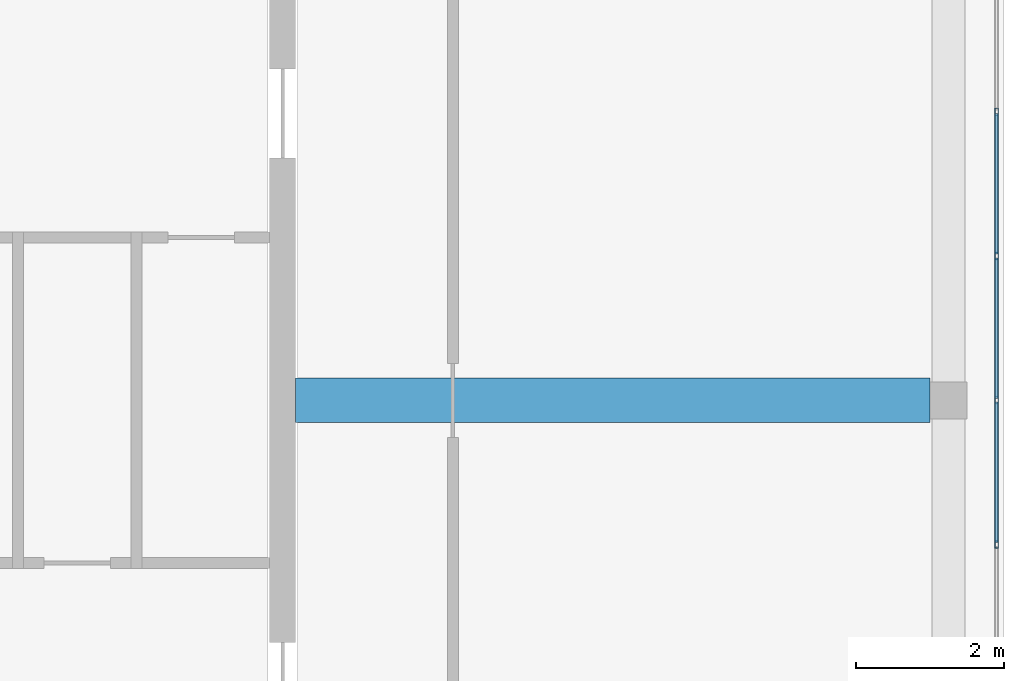
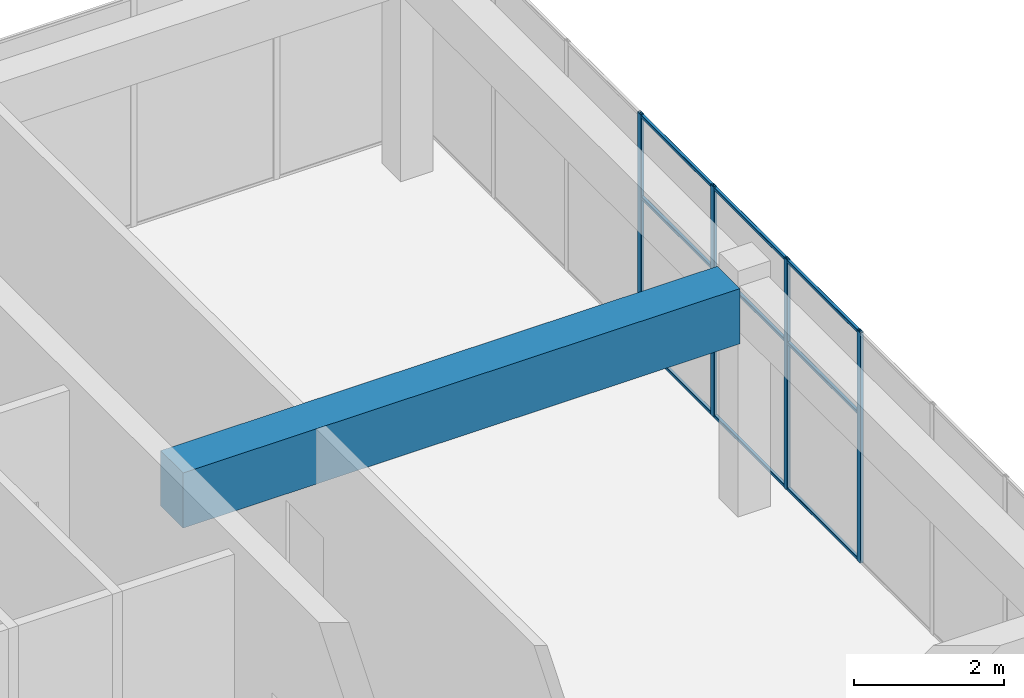
# One storey, part 16 of 34: 13 members, 1 beam, 1 element without a shape of its own.
"""IFC4 building model written with IfcOpenShell, lengths in metres."""

from ifc_helpers import new_model, si_unit, direction, frame, origin, origin_2d, place, context, subcontext, project, spatial, rectangle, hollow_rectangle, extrude, material, layer, layer_set, material_profile, profile_set, type_object, element, aggregate, save


model = new_model("IFC4")

# Units and contexts
model_context = context("Model", 3, precision=1e-05, world=origin(), true_north=direction((0.0, 1.0)))
body_context = subcontext(model_context, "Body", "Model", "MODEL_VIEW")
ifc_project = project(units=[si_unit("LENGTHUNIT", "METRE"), si_unit("AREAUNIT", "SQUARE_METRE"), si_unit("VOLUMEUNIT", "CUBIC_METRE"), si_unit("PLANEANGLEUNIT", "RADIAN"), si_unit("MASSUNIT", "GRAM", prefix="KILO")], contexts=[model_context])

# Site, building, storey
site_placement = place(None, origin())
site = spatial("IfcSite", under=ifc_project, at=site_placement, CompositionType="ELEMENT")
building_placement = place(site_placement, origin())
building = spatial("IfcBuilding", under=site, at=building_placement, Name="Tuart Plaza Theatre", CompositionType="ELEMENT")
storey_placement = place(building_placement, frame((0.0, 0.0, 53.5)))
storey = spatial("IfcBuildingStorey", under=building, at=storey_placement, Name="L13", CompositionType="ELEMENT", Elevation=53.5)

# Beam
ifc_material_1 = material(Name="Concrete N40 (40 MPa)", Category="concrete")
ifc_material_profile_1 = material_profile(ifc_material_1, rectangle(XDim=0.60009765625, YDim=0.89990234375, at=origin_2d()), Name="BEAM 600x900 Concrete N40 (40 MPa)")
ifc_profile_set_1 = profile_set([ifc_material_profile_1], Name="Concrete N40 (40 MPa)")
beam_type = type_object("IfcBeamType", Name="BEAM 600x900 Concrete N40 (40 MPa)", PredefinedType="BEAM", material=ifc_profile_set_1)
beam_placement = place(storey_placement, frame((141.175048828125, 74.0, 3.300048828125), z_axis=(1.0, 0.0, 0.0), x_axis=(0.0, 1.0, 0.0)))
element("IfcBeam", 1, at=beam_placement, inside=storey, type_object=beam_type, Name="RB343", PredefinedType="BEAM", context=body_context, shape_type="SweptSolid", body=[
    extrude(rectangle(XDim=0.60009765625, YDim=0.89990234375, at=origin_2d()), origin(), (0.0, 0.0, 1.0), 8.574951171875),
])

# Curtain wall, members
ifc_material_2 = material(Name="Aluminium and glass", Category="aluminium")
ifc_layer = layer(ifc_material_2, 0.10009765625)
ifc_layer_set = layer_set([ifc_layer], Name="CURTAIN WALL 2000 module")
curtain_wall_type = type_object("IfcCurtainWallType", Name="CURTAIN WALL 2000 module", PredefinedType="NOTDEFINED", material=ifc_layer_set)
curtain_wall_placement = place(storey_placement, origin())
curtain_wall = element("IfcCurtainWall", 2, at=curtain_wall_placement, inside=storey, type_object=curtain_wall_type, Name="CW114", PredefinedType="NOTDEFINED")
ifc_material_3 = material(Name="Aluminium 6063-T5", Category="aluminium")
ifc_material_profile_2 = material_profile(ifc_material_3, hollow_rectangle(XDim=0.050048828125, YDim=0.10009765625, WallThickness=0.00390625, InnerFilletRadius=0.00390625, OuterFilletRadius=0.008056640625, at=origin_2d()), Name="RHS 100x50x4")
ifc_profile_set_2 = profile_set([ifc_material_profile_2], Name="Aluminium 6063-T5")
member_type_1 = type_object("IfcMemberType", Name="MULLION RHS 100x50x4", PredefinedType="MULLION", material=ifc_profile_set_2)
member_1_placement = place(storey_placement, frame((150.64990234375, 72.050048828125, 0.0), z_axis=(0.0, 0.0, 1.0), x_axis=(-1.0, 0.0, 0.0)))
member_1 = element("IfcMember", 3, at=member_1_placement, type_object=member_type_1, Name="CW114 mullion 5", PredefinedType="MULLION", context=body_context, shape_type="SweptSolid", body=[
    extrude(hollow_rectangle(XDim=0.050048828125, YDim=0.10009765625, WallThickness=0.00390625, InnerFilletRadius=0.00390625, OuterFilletRadius=0.008056640625, at=origin_2d()), origin(), (0.0, 0.0, 1.0), 3.75),
])
member_2_placement = place(storey_placement, frame((150.64990234375, 74.0, 0.0), z_axis=(0.0, 0.0, 1.0), x_axis=(-1.0, 0.0, 0.0)))
member_2 = element("IfcMember", 4, at=member_2_placement, type_object=member_type_1, Name="CW114 mullion 6", PredefinedType="MULLION", context=body_context, shape_type="SweptSolid", body=[
    extrude(hollow_rectangle(XDim=0.050048828125, YDim=0.10009765625, WallThickness=0.00390625, InnerFilletRadius=0.00390625, OuterFilletRadius=0.008056640625, at=origin_2d()), origin(), (0.0, 0.0, 1.0), 3.75),
])
member_3_placement = place(storey_placement, frame((150.64990234375, 75.949951171875, 0.0), z_axis=(0.0, 0.0, 1.0), x_axis=(-1.0, 0.0, 0.0)))
member_3 = element("IfcMember", 5, at=member_3_placement, type_object=member_type_1, Name="CW114 mullion 7", PredefinedType="MULLION", context=body_context, shape_type="SweptSolid", body=[
    extrude(hollow_rectangle(XDim=0.050048828125, YDim=0.10009765625, WallThickness=0.00390625, InnerFilletRadius=0.00390625, OuterFilletRadius=0.008056640625, at=origin_2d()), origin(), (0.0, 0.0, 1.0), 3.75),
])
member_4_placement = place(storey_placement, frame((150.64990234375, 77.89990234375, 0.0), z_axis=(0.0, 0.0, 1.0), x_axis=(-1.0, 0.0, 0.0)))
member_4 = element("IfcMember", 6, at=member_4_placement, type_object=member_type_1, Name="CW114 mullion 8", PredefinedType="MULLION", context=body_context, shape_type="SweptSolid", body=[
    extrude(hollow_rectangle(XDim=0.050048828125, YDim=0.10009765625, WallThickness=0.00390625, InnerFilletRadius=0.00390625, OuterFilletRadius=0.008056640625, at=origin_2d()), origin(), (0.0, 0.0, 1.0), 3.75),
])
ifc_material_4 = material(Name="Aluminium 6063-T5", Category="aluminium")
ifc_material_profile_3 = material_profile(ifc_material_4, hollow_rectangle(XDim=0.050048828125, YDim=0.050048828125, WallThickness=0.00390625, InnerFilletRadius=0.00390625, OuterFilletRadius=0.008056640625, at=origin_2d()), Name="RHS 50x50x4")
ifc_profile_set_3 = profile_set([ifc_material_profile_3], Name="Aluminium 6063-T5")
member_type_2 = type_object("IfcMemberType", Name="TRANSOM RHS 50x50x4", PredefinedType="USERDEFINED", material=ifc_profile_set_3)
member_5_placement = place(storey_placement, frame((150.64990234375, 72.074951171875, 0.02490234375), z_axis=(0.0, 1.0, 0.0), x_axis=(-1.0, 0.0, 0.0)))
member_5 = element("IfcMember", 7, at=member_5_placement, type_object=member_type_2, Name="CW114 transom 5.1", ObjectType="TRANSOM", PredefinedType="USERDEFINED", context=body_context, shape_type="SweptSolid", body=[
    extrude(hollow_rectangle(XDim=0.050048828125, YDim=0.050048828125, WallThickness=0.00390625, InnerFilletRadius=0.00390625, OuterFilletRadius=0.008056640625, at=origin_2d()), origin(), (0.0, 0.0, 1.0), 1.900146484375),
])
member_6_placement = place(storey_placement, frame((150.64990234375, 72.074951171875, 2.39990234375), z_axis=(0.0, 1.0, 0.0), x_axis=(-1.0, 0.0, 0.0)))
member_6 = element("IfcMember", 8, at=member_6_placement, type_object=member_type_2, Name="CW114 transom 5.2", ObjectType="TRANSOM", PredefinedType="USERDEFINED", context=body_context, shape_type="SweptSolid", body=[
    extrude(hollow_rectangle(XDim=0.050048828125, YDim=0.050048828125, WallThickness=0.00390625, InnerFilletRadius=0.00390625, OuterFilletRadius=0.008056640625, at=origin_2d()), origin(), (0.0, 0.0, 1.0), 1.900146484375),
])
member_7_placement = place(storey_placement, frame((150.64990234375, 72.074951171875, 3.72509765625), z_axis=(0.0, 1.0, 0.0), x_axis=(-1.0, 0.0, 0.0)))
member_7 = element("IfcMember", 9, at=member_7_placement, type_object=member_type_2, Name="CW114 transom 5.3", ObjectType="TRANSOM", PredefinedType="USERDEFINED", context=body_context, shape_type="SweptSolid", body=[
    extrude(hollow_rectangle(XDim=0.050048828125, YDim=0.050048828125, WallThickness=0.00390625, InnerFilletRadius=0.00390625, OuterFilletRadius=0.008056640625, at=origin_2d()), origin(), (0.0, 0.0, 1.0), 1.900146484375),
])
member_8_placement = place(storey_placement, frame((150.64990234375, 74.02490234375, 0.02490234375), z_axis=(0.0, 1.0, 0.0), x_axis=(-1.0, 0.0, 0.0)))
member_8 = element("IfcMember", 10, at=member_8_placement, type_object=member_type_2, Name="CW114 transom 6.1", ObjectType="TRANSOM", PredefinedType="USERDEFINED", context=body_context, shape_type="SweptSolid", body=[
    extrude(hollow_rectangle(XDim=0.050048828125, YDim=0.050048828125, WallThickness=0.00390625, InnerFilletRadius=0.00390625, OuterFilletRadius=0.008056640625, at=origin_2d()), origin(), (0.0, 0.0, 1.0), 1.900146484375),
])
member_9_placement = place(storey_placement, frame((150.64990234375, 74.02490234375, 2.39990234375), z_axis=(0.0, 1.0, 0.0), x_axis=(-1.0, 0.0, 0.0)))
member_9 = element("IfcMember", 11, at=member_9_placement, type_object=member_type_2, Name="CW114 transom 6.2", ObjectType="TRANSOM", PredefinedType="USERDEFINED", context=body_context, shape_type="SweptSolid", body=[
    extrude(hollow_rectangle(XDim=0.050048828125, YDim=0.050048828125, WallThickness=0.00390625, InnerFilletRadius=0.00390625, OuterFilletRadius=0.008056640625, at=origin_2d()), origin(), (0.0, 0.0, 1.0), 1.900146484375),
])
member_10_placement = place(storey_placement, frame((150.64990234375, 74.02490234375, 3.72509765625), z_axis=(0.0, 1.0, 0.0), x_axis=(-1.0, 0.0, 0.0)))
member_10 = element("IfcMember", 12, at=member_10_placement, type_object=member_type_2, Name="CW114 transom 6.3", ObjectType="TRANSOM", PredefinedType="USERDEFINED", context=body_context, shape_type="SweptSolid", body=[
    extrude(hollow_rectangle(XDim=0.050048828125, YDim=0.050048828125, WallThickness=0.00390625, InnerFilletRadius=0.00390625, OuterFilletRadius=0.008056640625, at=origin_2d()), origin(), (0.0, 0.0, 1.0), 1.900146484375),
])
member_11_placement = place(storey_placement, frame((150.64990234375, 75.97509765625, 0.02490234375), z_axis=(0.0, 1.0, 0.0), x_axis=(-1.0, 0.0, 0.0)))
member_11 = element("IfcMember", 13, at=member_11_placement, type_object=member_type_2, Name="CW114 transom 7.1", ObjectType="TRANSOM", PredefinedType="USERDEFINED", context=body_context, shape_type="SweptSolid", body=[
    extrude(hollow_rectangle(XDim=0.050048828125, YDim=0.050048828125, WallThickness=0.00390625, InnerFilletRadius=0.00390625, OuterFilletRadius=0.008056640625, at=origin_2d()), origin(), (0.0, 0.0, 1.0), 1.89990234375),
])
member_12_placement = place(storey_placement, frame((150.64990234375, 75.97509765625, 2.39990234375), z_axis=(0.0, 1.0, 0.0), x_axis=(-1.0, 0.0, 0.0)))
member_12 = element("IfcMember", 14, at=member_12_placement, type_object=member_type_2, Name="CW114 transom 7.2", ObjectType="TRANSOM", PredefinedType="USERDEFINED", context=body_context, shape_type="SweptSolid", body=[
    extrude(hollow_rectangle(XDim=0.050048828125, YDim=0.050048828125, WallThickness=0.00390625, InnerFilletRadius=0.00390625, OuterFilletRadius=0.008056640625, at=origin_2d()), origin(), (0.0, 0.0, 1.0), 1.89990234375),
])
member_13_placement = place(storey_placement, frame((150.64990234375, 75.97509765625, 3.72509765625), z_axis=(0.0, 1.0, 0.0), x_axis=(-1.0, 0.0, 0.0)))
member_13 = element("IfcMember", 15, at=member_13_placement, type_object=member_type_2, Name="CW114 transom 7.3", ObjectType="TRANSOM", PredefinedType="USERDEFINED", context=body_context, shape_type="SweptSolid", body=[
    extrude(hollow_rectangle(XDim=0.050048828125, YDim=0.050048828125, WallThickness=0.00390625, InnerFilletRadius=0.00390625, OuterFilletRadius=0.008056640625, at=origin_2d()), origin(), (0.0, 0.0, 1.0), 1.89990234375),
])
aggregate(curtain_wall, [member_1, member_2, member_3, member_4, member_5, member_6, member_7, member_8, member_9, member_10, member_11, member_12, member_13])

save(model, "model.ifc")
